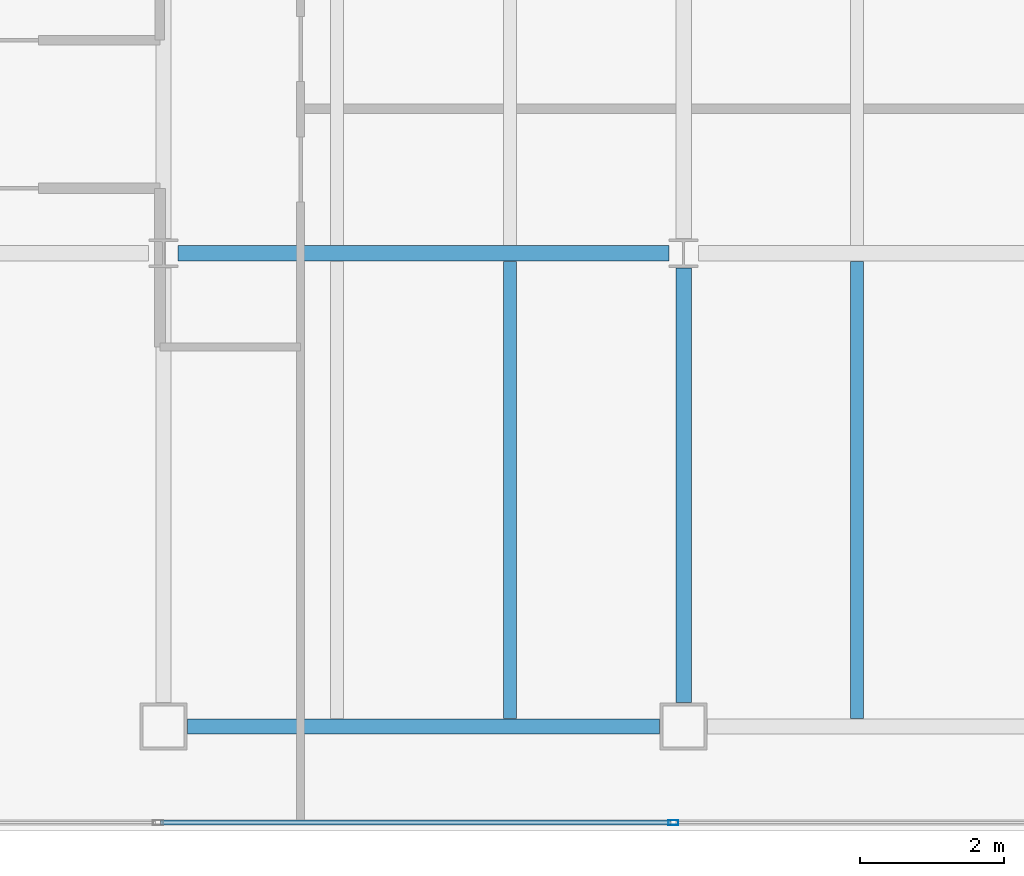
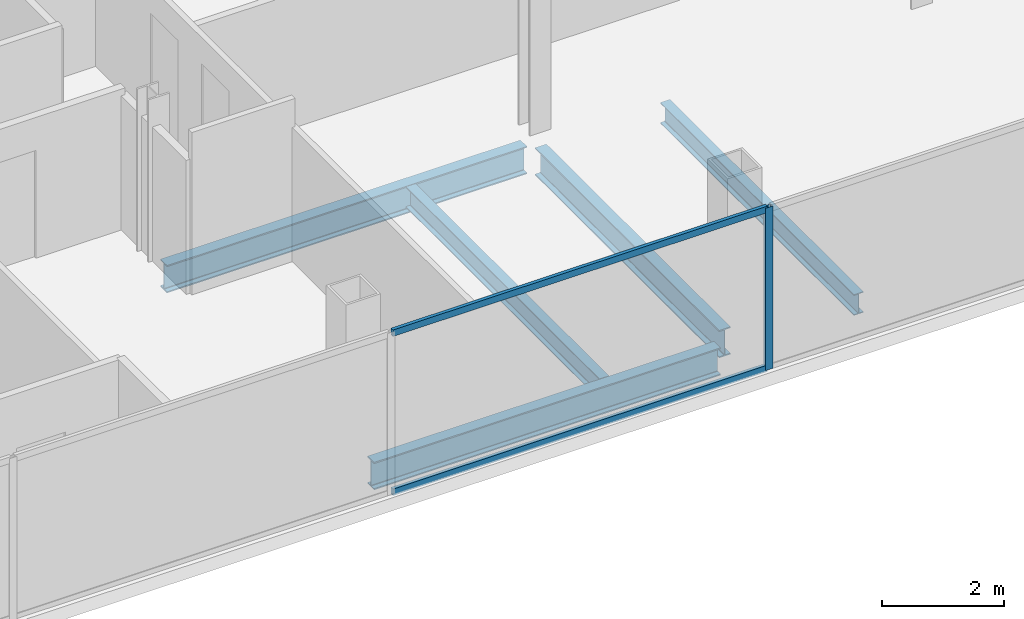
# One storey, part 6 of 23: 5 beams, 3 members, 1 element without a shape of its own.
"""IFC4 building model written with IfcOpenShell, lengths in metres."""

from ifc_helpers import new_model, si_unit, direction, frame, origin, origin_2d, place, context, subcontext, project, spatial, hollow_rectangle, i_section, extrude, material, material_profile, profile_set, type_object, element, aggregate, save


model = new_model("IFC4")

# Units and contexts
model_context = context("Model", 3, precision=1e-05, world=origin(), true_north=direction((0.0, 1.0)))
body_context = subcontext(model_context, "Body", "Model", "MODEL_VIEW")
ifc_project = project(units=[si_unit("LENGTHUNIT", "METRE"), si_unit("AREAUNIT", "SQUARE_METRE"), si_unit("VOLUMEUNIT", "CUBIC_METRE"), si_unit("PLANEANGLEUNIT", "RADIAN"), si_unit("MASSUNIT", "GRAM", prefix="KILO")], contexts=[model_context])

# Site, building, storey
site_placement = place(None, origin())
site = spatial("IfcSite", under=ifc_project, at=site_placement, CompositionType="ELEMENT")
building_placement = place(site_placement, origin())
building = spatial("IfcBuilding", under=site, at=building_placement, Name="Cobrela Telecom Tower", CompositionType="ELEMENT")
storey_placement = place(building_placement, frame((0.0, 0.0, 258.64990234375)))
storey = spatial("IfcBuildingStorey", under=building, at=storey_placement, Name="L67", CompositionType="ELEMENT", Elevation=258.64990234375)

# Beams
ifc_material_1 = material(Name="Steel ASTM A992 Grade 50", Category="steel")
ifc_material_profile_1 = material_profile(ifc_material_1, i_section(OverallWidth=0.212890625, OverallDepth=0.549072265625, WebThickness=0.0146484375, FlangeThickness=0.023681640625, FilletRadius=0.013916015625, at=origin_2d()), Name="W21X93")
ifc_profile_set_1 = profile_set([ifc_material_profile_1], Name="Steel ASTM A992 Grade 50")
beam_type_1 = type_object("IfcBeamType", Name="BM-GIRD-08", PredefinedType="USERDEFINED", material=ifc_profile_set_1)
beam_1_placement = place(storey_placement, frame((21.929931640625, 7.85009765625, -0.534423828125), z_axis=(1.0, 0.0, 0.0), x_axis=(0.0, 1.0, 0.0)))
element("IfcBeam", 1, at=beam_1_placement, inside=storey, type_object=beam_type_1, Name="L67 Primary Girder X03", ObjectType="GIRDER", PredefinedType="USERDEFINED", context=body_context, shape_type="SweptSolid", body=[
    extrude(i_section(OverallWidth=0.212890625, OverallDepth=0.549072265625, WebThickness=0.0146484375, FlangeThickness=0.023681640625, FilletRadius=0.013916015625, at=origin_2d()), origin(), (0.0, 0.0, 1.0), 6.5400390625),
])
beam_2_placement = place(storey_placement, frame((21.804443359375, 14.39990234375, -0.534423828125), z_axis=(1.0, 0.0, 0.0), x_axis=(0.0, 1.0, 0.0)))
element("IfcBeam", 2, at=beam_2_placement, inside=storey, type_object=beam_type_1, Name="L67 Primary Girder X06", ObjectType="GIRDER", PredefinedType="USERDEFINED", context=body_context, shape_type="SweptSolid", body=[
    extrude(i_section(OverallWidth=0.212890625, OverallDepth=0.549072265625, WebThickness=0.0146484375, FlangeThickness=0.023681640625, FilletRadius=0.013916015625, at=origin_2d()), origin(), (0.0, 0.0, 1.0), 6.791015625),
])
beam_3_placement = place(storey_placement, frame((28.800048828125, 8.179931640625, -0.534423828125), z_axis=(0.0, 1.0, 0.0), x_axis=(-1.0, 0.0, 0.0)))
element("IfcBeam", 3, at=beam_3_placement, inside=storey, type_object=beam_type_1, Name="L67 Primary Girder Y29", ObjectType="GIRDER", PredefinedType="USERDEFINED", context=body_context, shape_type="SweptSolid", body=[
    extrude(i_section(OverallWidth=0.212890625, OverallDepth=0.549072265625, WebThickness=0.0146484375, FlangeThickness=0.023681640625, FilletRadius=0.013916015625, at=origin_2d()), origin(), (0.0, 0.0, 1.0), 6.015625),
])
ifc_material_profile_2 = material_profile(ifc_material_1, i_section(OverallWidth=0.179931640625, OverallDepth=0.4169921875, WebThickness=0.010986328125, FlangeThickness=0.01806640625, FilletRadius=0.011962890625, at=origin_2d()), Name="W16X57")
ifc_profile_set_2 = profile_set([ifc_material_profile_2], Name="Steel ASTM A992 Grade 50")
beam_type_2 = type_object("IfcBeamType", Name="BM-JOIST-04", PredefinedType="JOIST", material=ifc_profile_set_2)
for number, where, z_axis, x_axis, name in (
    (4, (26.39990234375, 7.96142578125, -0.468505859375), (0.0, 1.0, 0.0), (-1.0, 0.0, 0.0), "L67 Secondary Composite Floor Beam J09"),
    (5, (31.199951171875, 7.96142578125, -0.468505859375), (0.0, 1.0, 0.0), (-1.0, 0.0, 0.0), "L67 Secondary Composite Floor Beam J11"),
):
    element("IfcBeam", number, at=place(storey_placement, frame(where, z_axis=z_axis, x_axis=x_axis)), inside=storey, type_object=beam_type_2, Name=name, PredefinedType="JOIST", context=body_context, shape_type="SweptSolid", body=[
        extrude(i_section(OverallWidth=0.179931640625, OverallDepth=0.4169921875, WebThickness=0.010986328125, FlangeThickness=0.01806640625, FilletRadius=0.011962890625, at=origin_2d()), origin(), (0.0, 0.0, 1.0), 6.3271484375),
    ])

# Curtain wall, members
ifc_material_2 = material(Name="Anodized Bronze Aluminium 6063-T6", Category="aluminium")
curtain_wall_type = type_object("IfcCurtainWallType", Name="CW-SYS-OFF-HI", PredefinedType="USERDEFINED", material=ifc_material_2)
curtain_wall_placement = place(storey_placement, origin())
curtain_wall = element("IfcCurtainWall", 6, at=curtain_wall_placement, inside=storey, type_object=curtain_wall_type, Name="L67 Unitised Bronze Curtain Wall 15", ObjectType="UNITISED CURTAIN WALL", PredefinedType="USERDEFINED")
ifc_material_profile_3 = material_profile(ifc_material_2, hollow_rectangle(XDim=0.070068359375, YDim=0.139892578125, WallThickness=0.00390625, at=origin_2d()), Name="ALU 70x140x4")
ifc_profile_set_3 = profile_set([ifc_material_profile_3], Name="Anodized Bronze Aluminium 6063-T6")
member_type_1 = type_object("IfcMemberType", Name="CW-SYS-OFF-HI-MUL", PredefinedType="MULLION", material=ifc_profile_set_3)
member_1_placement = place(storey_placement, frame((28.659912109375, 6.52001953125, 0.0), z_axis=(0.0, 0.0, 1.0), x_axis=(0.0, -1.0, 0.0)))
member_1 = element("IfcMember", 7, at=member_1_placement, type_object=member_type_1, Name="CW-OFF-HI mullion 3", PredefinedType="MULLION", context=body_context, shape_type="SweptSolid", body=[
    extrude(hollow_rectangle(XDim=0.070068359375, YDim=0.139892578125, WallThickness=0.00390625, at=origin_2d()), origin(), (0.0, 0.0, 1.0), 3.239990234375),
])
ifc_material_profile_4 = material_profile(ifc_material_2, hollow_rectangle(XDim=0.06494140625, YDim=0.1298828125, WallThickness=0.00390625, at=origin_2d()), Name="ALU 65x130x4")
ifc_profile_set_4 = profile_set([ifc_material_profile_4], Name="Anodized Bronze Aluminium 6063-T6")
member_type_2 = type_object("IfcMemberType", Name="CW-SYS-OFF-HI-TRN", PredefinedType="USERDEFINED", material=ifc_profile_set_4)
member_2_placement = place(storey_placement, frame((28.625, 6.52001953125, 0.03271484375), z_axis=(-1.0, 0.0, 0.0), x_axis=(0.0, -1.0, 0.0)))
member_2 = element("IfcMember", 8, at=member_2_placement, type_object=member_type_2, Name="CW-OFF-HI transom 3.1", ObjectType="TRANSOM", PredefinedType="USERDEFINED", context=body_context, shape_type="SweptSolid", body=[
    extrude(hollow_rectangle(XDim=0.06494140625, YDim=0.1298828125, WallThickness=0.00390625, at=origin_2d()), origin(), (0.0, 0.0, 1.0), 7.06494140625),
])
member_3_placement = place(storey_placement, frame((28.625, 6.52001953125, 3.20751953125), z_axis=(-1.0, 0.0, 0.0), x_axis=(0.0, -1.0, 0.0)))
member_3 = element("IfcMember", 9, at=member_3_placement, type_object=member_type_2, Name="CW-OFF-HI transom 3.2", ObjectType="TRANSOM", PredefinedType="USERDEFINED", context=body_context, shape_type="SweptSolid", body=[
    extrude(hollow_rectangle(XDim=0.06494140625, YDim=0.1298828125, WallThickness=0.00390625, at=origin_2d()), origin(), (0.0, 0.0, 1.0), 7.06494140625),
])
aggregate(curtain_wall, [member_1, member_2, member_3])

save(model, "model.ifc")
